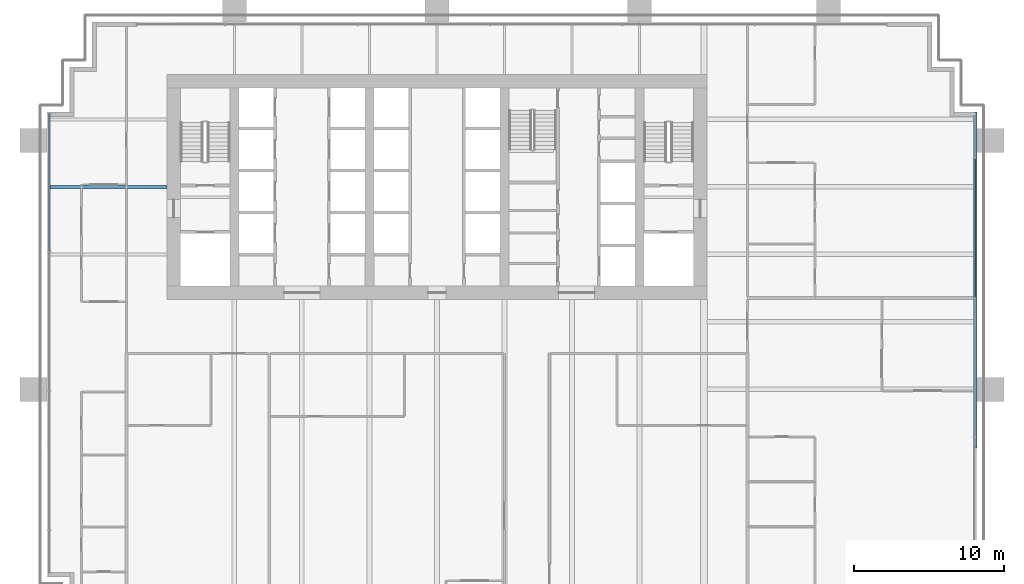
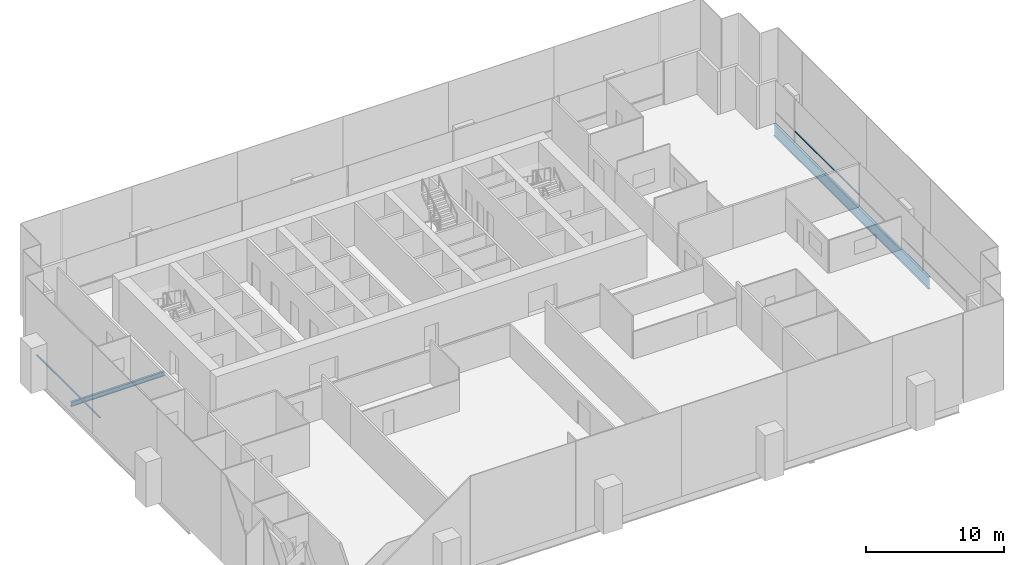
# One storey, part 7 of 19: 2 beams, 2 members, 2 elements without a shape of their own.
"""IFC4 building model written with IfcOpenShell, lengths in metres."""

from ifc_helpers import new_model, si_unit, direction, frame, origin, origin_2d, place, context, subcontext, project, spatial, rectangle, i_section, extrude, material, material_profile, profile_set, type_object, element, aggregate, save


model = new_model("IFC4")

# Units and contexts
model_context = context("Model", 3, precision=1e-05, world=origin(), true_north=direction((0.0, 1.0)))
body_context = subcontext(model_context, "Body", "Model", "MODEL_VIEW")
ifc_project = project(units=[si_unit("LENGTHUNIT", "METRE"), si_unit("AREAUNIT", "SQUARE_METRE"), si_unit("VOLUMEUNIT", "CUBIC_METRE"), si_unit("PLANEANGLEUNIT", "RADIAN"), si_unit("MASSUNIT", "GRAM", prefix="KILO")], contexts=[model_context])

# Site, building, storey
site_placement = place(None, origin())
site = spatial("IfcSite", under=ifc_project, at=site_placement, CompositionType="ELEMENT")
building_placement = place(site_placement, origin())
building = spatial("IfcBuilding", under=site, at=building_placement, Name="Rattan Terrace Tower", CompositionType="ELEMENT")
storey_placement = place(building_placement, frame((0.0, 0.0, 91.699951171875)))
storey = spatial("IfcBuildingStorey", under=building, at=storey_placement, Name="L20", CompositionType="ELEMENT", Elevation=91.699951171875)

# Curtain wall, member
ifc_material_1 = material(Name="Aluminium and glass", Category="aluminium")
curtain_wall_type = type_object("IfcCurtainWallType", Name="Facade Unitised Curtain Wall", PredefinedType="NOTDEFINED", material=ifc_material_1)
curtain_wall_1_placement = place(storey_placement, origin())
curtain_wall_1 = element("IfcCurtainWall", 1, at=curtain_wall_1_placement, inside=storey, type_object=curtain_wall_type, Name="Curtain wall L20-1", PredefinedType="NOTDEFINED")
ifc_material_2 = material(Name="Aluminium", Category="aluminium")
ifc_material_profile_1 = material_profile(ifc_material_2, rectangle(XDim=0.1201171875, YDim=0.06005859375, at=origin_2d()), Name="Aluminium 120x60")
ifc_profile_set_1 = profile_set([ifc_material_profile_1], Name="Aluminium")
member_type = type_object("IfcMemberType", Name="Facade CW Transom 120x60", PredefinedType="USERDEFINED", material=ifc_profile_set_1)
member_1_placement = place(storey_placement, frame((35.830078125, -7.3701171875, 1.0), z_axis=(0.0, 1.0, 0.0), x_axis=(-1.0, 0.0, 0.0)))
member_1 = element("IfcMember", 2, at=member_1_placement, type_object=member_type, Name="Transom cwl-L20-001.3", ObjectType="TRANSOM", PredefinedType="USERDEFINED", context=body_context, shape_type="SweptSolid", body=[
    extrude(rectangle(XDim=0.1201171875, YDim=0.06005859375, at=origin_2d()), origin(), (0.0, 0.0, 1.0), 9.240234375),
])
aggregate(curtain_wall_1, [member_1])

curtain_wall_2_placement = place(storey_placement, origin())
curtain_wall_2 = element("IfcCurtainWall", 3, at=curtain_wall_2_placement, inside=storey, type_object=curtain_wall_type, Name="Curtain wall L20-3", PredefinedType="NOTDEFINED")
member_2_placement = place(storey_placement, frame((-25.830078125, 4.89501953125, 1.0), z_axis=(0.0, -1.0, 0.0), x_axis=(1.0, 0.0, 0.0)))
member_2 = element("IfcMember", 4, at=member_2_placement, type_object=member_type, Name="Transom cwl-L20-003.1", ObjectType="TRANSOM", PredefinedType="USERDEFINED", context=body_context, shape_type="SweptSolid", body=[
    extrude(rectangle(XDim=0.1201171875, YDim=0.06005859375, at=origin_2d()), origin(), (0.0, 0.0, 1.0), 9.1650390625),
])
aggregate(curtain_wall_2, [member_2])

# Beams
ifc_material_3 = material(Name="Steel S460", Category="steel")
ifc_material_profile_2 = material_profile(ifc_material_3, i_section(OverallWidth=0.179931640625, OverallDepth=1.10009765625, WebThickness=0.01611328125, FlangeThickness=0.050048828125, at=origin_2d()), Name="PG 1100x180-16-50")
ifc_profile_set_2 = profile_set([ifc_material_profile_2], Name="Steel S460")
beam_type_1 = type_object("IfcBeamType", Name="Frame edge girder PG 1100x180-16-50", PredefinedType="SPANDREL", material=ifc_profile_set_2)
beam_1_placement = place(storey_placement, frame((35.909912109375, 5.0, -0.75), z_axis=(0.0, -1.0, 0.0), x_axis=(1.0, 0.0, 0.0)))
element("IfcBeam", 5, at=beam_1_placement, inside=storey, type_object=beam_type_1, Name="gdr-L20-005", PredefinedType="SPANDREL", context=body_context, shape_type="SweptSolid", body=[
    extrude(i_section(OverallWidth=0.179931640625, OverallDepth=1.10009765625, WebThickness=0.01611328125, FlangeThickness=0.050048828125, at=origin_2d()), origin(), (0.0, 0.0, 1.0), 22.39990234375),
])
ifc_material_4 = material(Name="Steel S355", Category="steel")
ifc_material_profile_3 = material_profile(ifc_material_4, i_section(OverallWidth=0.179931640625, OverallDepth=0.39990234375, WebThickness=0.008544921875, FlangeThickness=0.013427734375, FilletRadius=0.02099609375, at=origin_2d()), Name="IPE 400")
ifc_profile_set_3 = profile_set([ifc_material_profile_3], Name="Steel S355")
beam_type_2 = type_object("IfcBeamType", Name="Frame floor beam IPE 400", PredefinedType="JOIST", material=ifc_profile_set_3)
beam_2_placement = place(storey_placement, frame((-25.820068359375, 0.0, -0.39990234375), z_axis=(1.0, 0.0, 0.0), x_axis=(0.0, 1.0, 0.0)))
element("IfcBeam", 6, at=beam_2_placement, inside=storey, type_object=beam_type_2, Name="bm-L20-014", PredefinedType="JOIST", context=body_context, shape_type="SweptSolid", body=[
    extrude(i_section(OverallWidth=0.179931640625, OverallDepth=0.39990234375, WebThickness=0.008544921875, FlangeThickness=0.013427734375, FilletRadius=0.02099609375, at=origin_2d()), origin(), (0.0, 0.0, 1.0), 7.820068359375),
])

save(model, "model.ifc")
